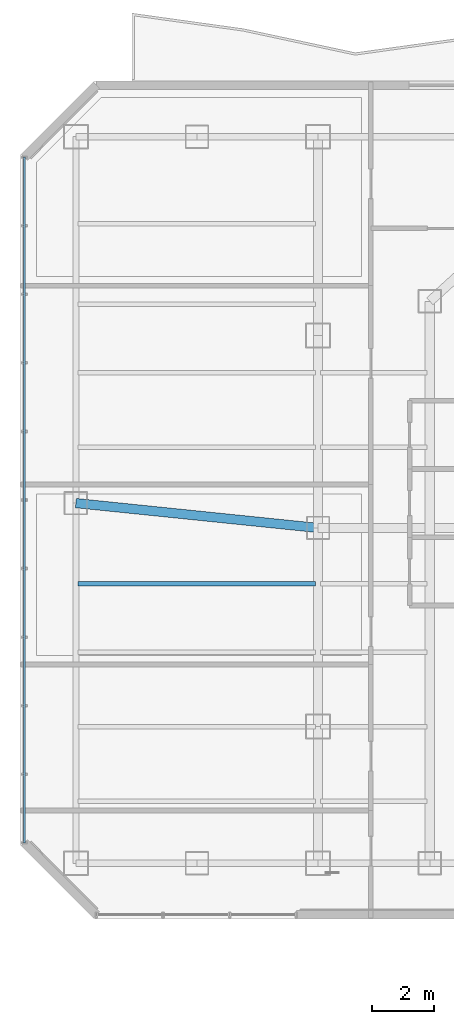
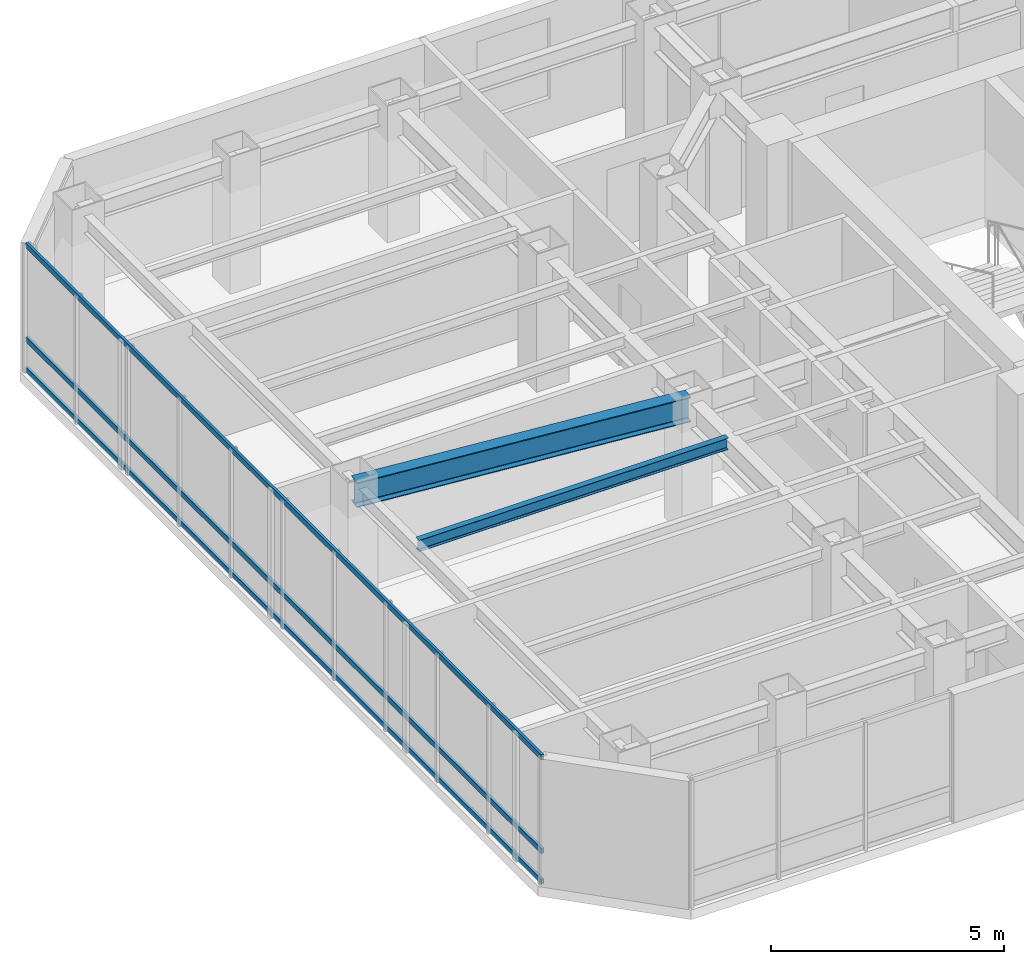
# One storey, part 7 of 27: 3 members, 2 beams, 1 element without a shape of its own.
"""IFC4 building model written with IfcOpenShell, lengths in metres."""

from ifc_helpers import new_model, si_unit, direction, frame, origin, origin_2d, place, context, subcontext, project, spatial, hollow_rectangle, i_section, extrude, material, layer, layer_set, material_profile, profile_set, type_object, element, aggregate, save


model = new_model("IFC4")

# Units and contexts
model_context = context("Model", 3, precision=1e-05, world=origin(), true_north=direction((0.0, 1.0)))
body_context = subcontext(model_context, "Body", "Model", "MODEL_VIEW")
ifc_project = project(units=[si_unit("LENGTHUNIT", "METRE"), si_unit("AREAUNIT", "SQUARE_METRE"), si_unit("VOLUMEUNIT", "CUBIC_METRE"), si_unit("PLANEANGLEUNIT", "RADIAN"), si_unit("MASSUNIT", "GRAM", prefix="KILO")], contexts=[model_context])

# Site, building, storey
site_placement = place(None, origin())
site = spatial("IfcSite", under=ifc_project, at=site_placement, CompositionType="ELEMENT")
building_placement = place(site_placement, origin())
building = spatial("IfcBuilding", under=site, at=building_placement, Name="Hatsunagi Terrace Concourse", CompositionType="ELEMENT")
storey_placement = place(building_placement, frame((0.0, 0.0, 163.64990234375)))
storey = spatial("IfcBuildingStorey", under=building, at=storey_placement, Name="L43", CompositionType="ELEMENT", Elevation=163.64990234375)

# Curtain wall, members
ifc_material_1 = material(Name="Anodised Aluminium Alloy 6063-T5", Category="aluminium")
ifc_layer = layer(ifc_material_1, 0.199951171875)
ifc_layer_set = layer_set([ifc_layer], Name="OfficeZone1_CW03")
curtain_wall_type = type_object("IfcCurtainWallType", Name="OfficeZone1_CW03", PredefinedType="NOTDEFINED", material=ifc_layer_set)
curtain_wall_placement = place(storey_placement, origin())
curtain_wall = element("IfcCurtainWall", 1, at=curtain_wall_placement, inside=storey, type_object=curtain_wall_type, Name="Unitised Curtain Wall CW-03 CW-L43-09", PredefinedType="NOTDEFINED")
ifc_material_2 = material(Name="Anodised Aluminium Alloy 6063-T5", Category="aluminium")
ifc_material_profile_1 = material_profile(ifc_material_2, hollow_rectangle(XDim=0.06494140625, YDim=0.139892578125, WallThickness=0.00390625, at=origin_2d()), Name="ALU-TRN-140x65x4")
ifc_profile_set_1 = profile_set([ifc_material_profile_1], Name="Anodised Aluminium Alloy 6063-T5")
member_type = type_object("IfcMemberType", Name="CurtainWallTransom_140x65", PredefinedType="USERDEFINED", material=ifc_profile_set_1)
member_1_placement = place(storey_placement, frame((9.739990234375, 25.85791015625, 0.050048828125), z_axis=(0.0, 1.0, 0.0), x_axis=(-1.0, 0.0, 0.0)))
member_1 = element("IfcMember", 2, at=member_1_placement, type_object=member_type, Name="Curtain Wall Transom TRN-02", ObjectType="TRANSOM", PredefinedType="USERDEFINED", context=body_context, shape_type="SweptSolid", body=[
    extrude(hollow_rectangle(XDim=0.06494140625, YDim=0.139892578125, WallThickness=0.00390625, at=origin_2d()), origin(), (0.0, 0.0, 1.0), 22.083984375),
])
member_2_placement = place(storey_placement, frame((9.739990234375, 25.85791015625, 0.85009765625), z_axis=(0.0, 1.0, 0.0), x_axis=(-1.0, 0.0, 0.0)))
member_2 = element("IfcMember", 3, at=member_2_placement, type_object=member_type, Name="Curtain Wall Transom TRN-02", ObjectType="TRANSOM", PredefinedType="USERDEFINED", context=body_context, shape_type="SweptSolid", body=[
    extrude(hollow_rectangle(XDim=0.06494140625, YDim=0.139892578125, WallThickness=0.00390625, at=origin_2d()), origin(), (0.0, 0.0, 1.0), 22.083984375),
])
member_3_placement = place(storey_placement, frame((9.739990234375, 25.85791015625, 3.300048828125), z_axis=(0.0, 1.0, 0.0), x_axis=(-1.0, 0.0, 0.0)))
member_3 = element("IfcMember", 4, at=member_3_placement, type_object=member_type, Name="Curtain Wall Transom TRN-02", ObjectType="TRANSOM", PredefinedType="USERDEFINED", context=body_context, shape_type="SweptSolid", body=[
    extrude(hollow_rectangle(XDim=0.06494140625, YDim=0.139892578125, WallThickness=0.00390625, at=origin_2d()), origin(), (0.0, 0.0, 1.0), 22.083984375),
])
aggregate(curtain_wall, [member_1, member_2, member_3])

# Beams
ifc_material_3 = material(Name="Steel SN490B", Category="steel")
ifc_material_profile_2 = material_profile(ifc_material_3, i_section(OverallWidth=0.14990234375, OverallDepth=0.300048828125, WebThickness=0.006591796875, FlangeThickness=0.009033203125, FilletRadius=0.010986328125, at=origin_2d()), Name="H-300x150x6.5x9")
ifc_profile_set_2 = profile_set([ifc_material_profile_2], Name="Steel SN490B")
beam_type_1 = type_object("IfcBeamType", Name="OfficeJoist_H_300x150", PredefinedType="JOIST", material=ifc_profile_set_2)
beam_1_placement = place(storey_placement, frame((11.465087890625, 34.199951171875, 3.2001953125), z_axis=(1.0, 0.0, 0.0), x_axis=(0.0, 1.0, 0.0)))
element("IfcBeam", 5, at=beam_1_placement, inside=storey, type_object=beam_type_1, Name="Beam J-03 J-L43-W-11-342", PredefinedType="JOIST", context=body_context, shape_type="SweptSolid", body=[
    extrude(i_section(OverallWidth=0.14990234375, OverallDepth=0.300048828125, WebThickness=0.006591796875, FlangeThickness=0.009033203125, FilletRadius=0.010986328125, at=origin_2d()), origin(), (0.0, 0.0, 1.0), 7.64990234375),
])
ifc_material_4 = material(Name="Steel SN490B", Category="steel")
ifc_material_profile_3 = material_profile(ifc_material_4, i_section(OverallWidth=0.300048828125, OverallDepth=0.64990234375, WebThickness=0.012939453125, FlangeThickness=0.02197265625, FilletRadius=0.01806640625, at=origin_2d()), Name="H-650x300x13x22")
ifc_profile_set_3 = profile_set([ifc_material_profile_3], Name="Steel SN490B")
beam_type_2 = type_object("IfcBeamType", Name="OfficeLowGirder_H_650x300", PredefinedType="BEAM", material=ifc_profile_set_3)
beam_2_placement = place(storey_placement, frame((11.39990234375, 36.800048828125, 3.025146484375), z_axis=(0.994780871372, -0.102034395927, 0.0), x_axis=(0.102034395927, 0.994780871372, 0.0)))
element("IfcBeam", 6, at=beam_2_placement, inside=storey, type_object=beam_type_2, Name="Beam G-05 BM-L43-EW-2", PredefinedType="BEAM", context=body_context, shape_type="SweptSolid", body=[
    extrude(i_section(OverallWidth=0.300048828125, OverallDepth=0.64990234375, WebThickness=0.012939453125, FlangeThickness=0.02197265625, FilletRadius=0.01806640625, at=origin_2d()), origin(), (0.0, 0.0, 1.0), 7.841064453125),
])

save(model, "model.ifc")
